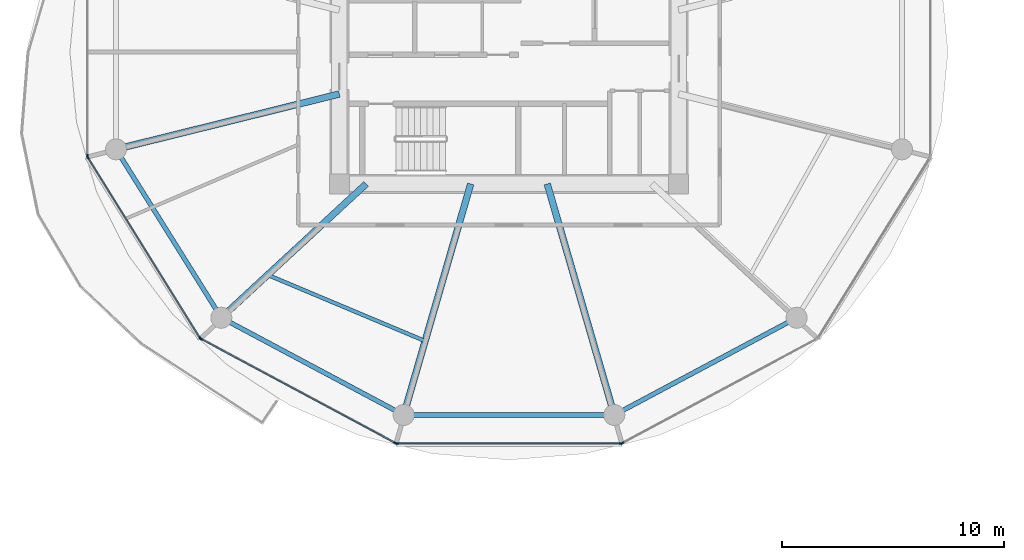
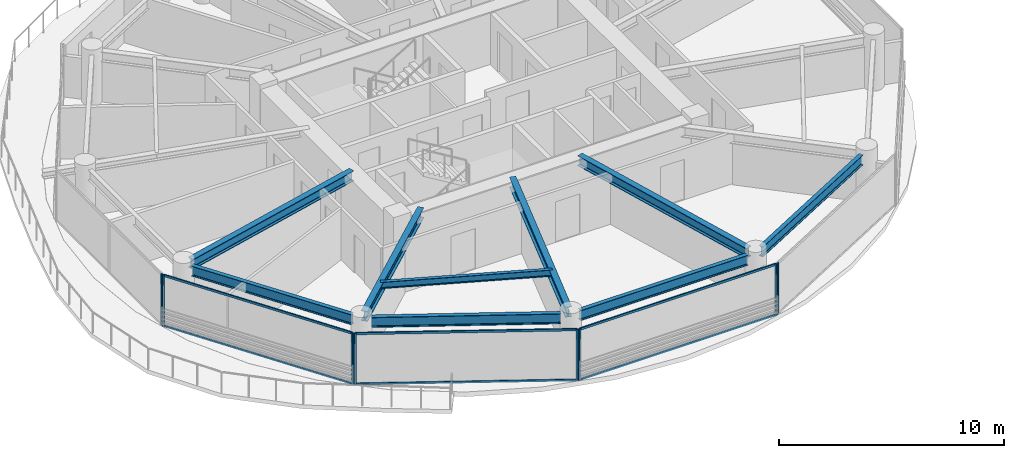
# One storey, part 2 of 27: 14 members, 9 beams, 5 elements without a shape of their own.
"""IFC4 building model written with IfcOpenShell, lengths in metres."""

from ifc_helpers import new_model, si_unit, direction, frame, origin, origin_2d, place, context, subcontext, project, spatial, rectangle, i_section, extrude, source, transform, mapped, material, layer, layer_set, material_profile, profile_set, type_object, type_shapes, element, aggregate, save


model = new_model("IFC4")

# Units and contexts
model_context = context("Model", 3, precision=1e-05, world=origin(), true_north=direction((0.0, 1.0)))
body_context = subcontext(model_context, "Body", "Model", "MODEL_VIEW")
ifc_project = project(units=[si_unit("LENGTHUNIT", "METRE"), si_unit("AREAUNIT", "SQUARE_METRE"), si_unit("VOLUMEUNIT", "CUBIC_METRE"), si_unit("PLANEANGLEUNIT", "RADIAN"), si_unit("MASSUNIT", "GRAM", prefix="KILO")], contexts=[model_context])

# Site, building, storey
site_placement = place(None, origin())
site = spatial("IfcSite", under=ifc_project, at=site_placement, CompositionType="ELEMENT")
building_placement = place(site_placement, origin())
building = spatial("IfcBuilding", under=site, at=building_placement, Name="Norrkilde Senior Care Towers", CompositionType="ELEMENT")
storey_placement = place(building_placement, frame((0.0, 0.0, 30.75)))
storey = spatial("IfcBuildingStorey", under=building, at=storey_placement, Name="L08", CompositionType="ELEMENT", Elevation=30.75)

# Beams
ifc_material_1 = material(Name="Steel S355", Category="steel")
ifc_material_profile_1 = material_profile(ifc_material_1, i_section(OverallWidth=0.2099609375, OverallDepth=0.550048828125, WebThickness=0.010986328125, FlangeThickness=0.01708984375, FilletRadius=0.02392578125, at=origin_2d()), Name="IPE 550")
ifc_profile_set_1 = profile_set([ifc_material_profile_1], Name="Steel S355")
beam_type_1 = type_object("IfcBeamType", Name="Perimeter Ring Spandrel Z1 IPE550", PredefinedType="SPANDREL", material=ifc_profile_set_1)
shared_shape_1 = source(origin(), body_context, "Body", "SweptSolid", [
    extrude(i_section(OverallWidth=0.2099609375, OverallDepth=0.550048828125, WebThickness=0.010986328125, FlangeThickness=0.01708984375, FilletRadius=0.02392578125, at=origin_2d()), origin(), (0.0, 0.0, 1.0), 8.090576171875),
])
beam_1_placement = place(storey_placement, frame((-45.494140625, -4.755859375, 2.514892578125), z_axis=(0.530004364821, -0.84799491347, 0.0), x_axis=(0.84799491347, 0.530004364821, 0.0)))
element("IfcBeam", 1, at=beam_1_placement, inside=storey, type_object=beam_type_1, Name="L08 Drum W Perimeter Spandrel 07", PredefinedType="SPANDREL", context=body_context, shape_type="MappedRepresentation", body=[
    mapped(shared_shape_1, transform((0.0, 0.0, 0.0), x_axis=(1.0, 0.0, 0.0), y_axis=(0.0, 1.0, 0.0), z_axis=(0.0, 0.0, 1.0), scale=1.0)),
])
ifc_material_profile_2 = material_profile(ifc_material_1, i_section(OverallWidth=0.300048828125, OverallDepth=0.550048828125, WebThickness=0.014892578125, FlangeThickness=0.029052734375, FilletRadius=0.027099609375, at=origin_2d()), Name="HEB 550")
ifc_profile_set_2 = profile_set([ifc_material_profile_2], Name="Steel S355")
beam_type_2 = type_object("IfcBeamType", Name="Radial Floor Beam Z1 HEB550", PredefinedType="BEAM", material=ifc_profile_set_2)
shared_shape_2 = source(origin(), body_context, "Body", "SweptSolid", [
    extrude(i_section(OverallWidth=0.300048828125, OverallDepth=0.550048828125, WebThickness=0.014892578125, FlangeThickness=0.029052734375, FilletRadius=0.027099609375, at=origin_2d()), origin(), (0.0, 0.0, 1.0), 9.94384765625),
])
beam_2_placement = place(storey_placement, frame((-35.64990234375, -1.893310546875, 2.514892578125), z_axis=(-0.970707425182, -0.240264634718, 0.0), x_axis=(0.240264634718, -0.970707425182, 0.0)))
element("IfcBeam", 2, at=beam_2_placement, inside=storey, type_object=beam_type_2, Name="L08 Drum W Radial Floor Beam 07", PredefinedType="BEAM", context=body_context, shape_type="MappedRepresentation", body=[
    mapped(shared_shape_2, transform((0.0, 0.0, 0.0), x_axis=(1.0, 0.0, 0.0), y_axis=(0.0, 1.0, 0.0), z_axis=(0.0, 0.0, 1.0), scale=1.0)),
])
shared_shape_3 = source(origin(), body_context, "Body", "SweptSolid", [
    extrude(i_section(OverallWidth=0.2099609375, OverallDepth=0.550048828125, WebThickness=0.010986328125, FlangeThickness=0.01708984375, FilletRadius=0.02392578125, at=origin_2d()), origin(), (0.0, 0.0, 1.0), 8.452880859375),
])
for number, where, z_axis, x_axis, name in (
    (3, (-40.591552734375, -12.190185546875, 2.514892578125), (0.882368931134, -0.470558252898, 0.0), (0.470558252898, 0.882368931134, 0.0), "L08 Drum W Perimeter Spandrel 08"),
    (4, (-22.866943359375, -16.167724609375, 2.514892578125), (0.882368931134, 0.470558252898, 0.0), (-0.470558252898, 0.882368931134, 0.0), "L08 Drum W Perimeter Spandrel 10"),
):
    element("IfcBeam", number, at=place(storey_placement, frame(where, z_axis=z_axis, x_axis=x_axis)), inside=storey, type_object=beam_type_1, Name=name, PredefinedType="SPANDREL", context=body_context, shape_type="MappedRepresentation", body=[
        mapped(shared_shape_3, transform((0.0, 0.0, 0.0), x_axis=(1.0, 0.0, 0.0), y_axis=(0.0, 1.0, 0.0), z_axis=(0.0, 0.0, 1.0), scale=1.0)),
    ])
shared_shape_4 = source(origin(), body_context, "Body", "SweptSolid", [
    extrude(i_section(OverallWidth=0.300048828125, OverallDepth=0.550048828125, WebThickness=0.014892578125, FlangeThickness=0.029052734375, FilletRadius=0.027099609375, at=origin_2d()), origin(), (0.0, 0.0, 1.0), 8.459716796875),
])
beam_3_placement = place(storey_placement, frame((-34.44140625, -5.949951171875, 2.514892578125), z_axis=(-0.734573269108, -0.678529374686, 0.0), x_axis=(0.678529374686, -0.734573269108, 0.0)))
element("IfcBeam", 5, at=beam_3_placement, inside=storey, type_object=beam_type_2, Name="L08 Drum W Radial Floor Beam 08", PredefinedType="BEAM", context=body_context, shape_type="MappedRepresentation", body=[
    mapped(shared_shape_4, transform((0.0, 0.0, 0.0), x_axis=(1.0, 0.0, 0.0), y_axis=(0.0, 1.0, 0.0), z_axis=(0.0, 0.0, 1.0), scale=1.0)),
])
shared_shape_5 = source(origin(), body_context, "Body", "SweptSolid", [
    extrude(i_section(OverallWidth=0.2099609375, OverallDepth=0.550048828125, WebThickness=0.010986328125, FlangeThickness=0.01708984375, FilletRadius=0.02392578125, at=origin_2d()), origin(), (0.0, 0.0, 1.0), 8.62841796875),
])
type_shapes(beam_type_1, [shared_shape_1, shared_shape_3, shared_shape_5])
beam_4_placement = place(storey_placement, frame((-32.314208984375, -16.37255859375, 2.514892578125), z_axis=(1.0, 0.0, 0.0), x_axis=(0.0, 1.0, 0.0)))
element("IfcBeam", 6, at=beam_4_placement, inside=storey, type_object=beam_type_1, Name="L08 Drum W Perimeter Spandrel 09", PredefinedType="SPANDREL", context=body_context, shape_type="MappedRepresentation", body=[
    mapped(shared_shape_5, transform((0.0, 0.0, 0.0), x_axis=(1.0, 0.0, 0.0), y_axis=(0.0, 1.0, 0.0), z_axis=(0.0, 0.0, 1.0), scale=1.0)),
])
shared_shape_6 = source(origin(), body_context, "Body", "SweptSolid", [
    extrude(i_section(OverallWidth=0.300048828125, OverallDepth=0.550048828125, WebThickness=0.014892578125, FlangeThickness=0.029052734375, FilletRadius=0.027099609375, at=origin_2d()), origin(), (0.0, 0.0, 1.0), 10.4169921875),
])
type_shapes(beam_type_2, [shared_shape_2, shared_shape_4, shared_shape_6])
for number, where, z_axis, x_axis, name in (
    (7, (-29.72607421875, -5.949951171875, 2.514892578125), (-0.278591250785, -0.960409764104, 0.0), (0.960409764104, -0.278591250785, 0.0), "L08 Drum W Radial Floor Beam 09"),
    (8, (-26.27392578125, -5.949951171875, 2.514892578125), (0.278591250785, -0.960409764104, 0.0), (0.960409764104, 0.278591250785, 0.0), "L08 Drum W Radial Floor Beam 10"),
):
    element("IfcBeam", number, at=place(storey_placement, frame(where, z_axis=z_axis, x_axis=x_axis)), inside=storey, type_object=beam_type_2, Name=name, PredefinedType="BEAM", context=body_context, shape_type="MappedRepresentation", body=[
        mapped(shared_shape_6, transform((0.0, 0.0, 0.0), x_axis=(1.0, 0.0, 0.0), y_axis=(0.0, 1.0, 0.0), z_axis=(0.0, 0.0, 1.0), scale=1.0)),
    ])
ifc_material_profile_3 = material_profile(ifc_material_1, i_section(OverallWidth=0.169921875, OverallDepth=0.360107421875, WebThickness=0.008056640625, FlangeThickness=0.0126953125, FilletRadius=0.01806640625, at=origin_2d()), Name="IPE 360")
ifc_profile_set_3 = profile_set([ifc_material_profile_3], Name="Steel S355")
beam_type_3 = type_object("IfcBeamType", Name="Secondary Floor Joist IPE360", PredefinedType="JOIST", material=ifc_profile_set_3)
shared_shape_7 = source(origin(), body_context, "Body", "SweptSolid", [
    extrude(i_section(OverallWidth=0.169921875, OverallDepth=0.360107421875, WebThickness=0.008056640625, FlangeThickness=0.0126953125, FilletRadius=0.01806640625, at=origin_2d()), origin(), (0.0, 0.0, 1.0), 7.703857421875),
])
type_shapes(beam_type_3, [shared_shape_7])
beam_5_placement = place(storey_placement, frame((-38.884521484375, -10.05419921875, 2.610107421875), z_axis=(0.921982784465, -0.387230868023, 0.0), x_axis=(0.387230868023, 0.921982784465, 0.0)))
element("IfcBeam", 9, at=beam_5_placement, inside=storey, type_object=beam_type_3, Name="L08 Drum W Secondary Floor Joist 3", PredefinedType="JOIST", context=body_context, shape_type="MappedRepresentation", body=[
    mapped(shared_shape_7, transform((0.0, 0.0, 0.0), x_axis=(1.0, 0.0, 0.0), y_axis=(0.0, 1.0, 0.0), z_axis=(0.0, 0.0, 1.0), scale=1.0)),
])

# Curtain wall, member
ifc_material_2 = material(Name="Triple Low-E Insulated Glazing", Category="glass")
ifc_layer = layer(ifc_material_2, 0.199951171875)
ifc_layer_set = layer_set([ifc_layer], Name="Triple Low-E Insulated Glazing")
curtain_wall_type = type_object("IfcCurtainWallType", Name="CW2 Zone 1 Memory Care Curtain Wall", PredefinedType="NOTDEFINED", material=ifc_layer_set)
curtain_wall_1_placement = place(storey_placement, origin())
curtain_wall_1 = element("IfcCurtainWall", 10, at=curtain_wall_1_placement, inside=storey, type_object=curtain_wall_type, Name="L08 Drum W Curtain Wall 05", PredefinedType="NOTDEFINED")
ifc_material_3 = material(Name="Anodised Aluminium", Category="aluminium")
ifc_material_profile_4 = material_profile(ifc_material_3, rectangle(XDim=0.06494140625, YDim=0.159912109375, at=origin_2d()), Name="ALU MULL 65x160")
ifc_profile_set_4 = profile_set([ifc_material_profile_4], Name="Anodised Aluminium")
member_type_1 = type_object("IfcMemberType", Name="Curtain Wall Mullion Z1-Z2 65x160", PredefinedType="MULLION", material=ifc_profile_set_4)
shared_shape_8 = source(origin(), body_context, "Body", "SweptSolid", [
    extrude(rectangle(XDim=0.06494140625, YDim=0.159912109375, at=origin_2d()), origin(), (0.0, 0.0, 1.0), 2.7900390625),
])
type_shapes(member_type_1, [shared_shape_8])
member_1_placement = place(storey_placement, frame((-47.009521484375, -4.69873046875, 0.0), z_axis=(0.0, 0.0, 1.0), x_axis=(-1.0, 0.0, 0.0)))
member_1 = element("IfcMember", 11, at=member_1_placement, type_object=member_type_1, Name="CW-2 mullion 1", PredefinedType="MULLION", context=body_context, shape_type="MappedRepresentation", body=[
    mapped(shared_shape_8, transform((0.0, 0.0, 0.0), x_axis=(1.0, 0.0, 0.0), y_axis=(0.0, 1.0, 0.0), z_axis=(0.0, 0.0, 1.0), scale=1.0)),
])
aggregate(curtain_wall_1, [member_1])

# Curtain wall, members
curtain_wall_2_placement = place(storey_placement, origin())
curtain_wall_2 = element("IfcCurtainWall", 12, at=curtain_wall_2_placement, inside=storey, type_object=curtain_wall_type, Name="L08 Drum W Curtain Wall 06", PredefinedType="NOTDEFINED")
member_2_placement = place(storey_placement, frame((-41.93310546875, -12.898193359375, 0.0), z_axis=(0.0, 0.0, 1.0), x_axis=(-0.849305943117, -0.527900951871, 0.0)))
member_2 = element("IfcMember", 13, at=member_2_placement, type_object=member_type_1, Name="CW-2 mullion 1", PredefinedType="MULLION", context=body_context, shape_type="MappedRepresentation", body=[
    mapped(shared_shape_8, transform((0.0, 0.0, 0.0), x_axis=(1.0, 0.0, 0.0), y_axis=(0.0, 1.0, 0.0), z_axis=(0.0, 0.0, 1.0), scale=1.0)),
])
member_3_placement = place(storey_placement, frame((-46.9921875, -4.7587890625, 0.0), z_axis=(0.0, 0.0, 1.0), x_axis=(-0.849305943117, -0.527900951871, 0.0)))
member_3 = element("IfcMember", 14, at=member_3_placement, type_object=member_type_1, Name="CW-2 mullion 2", PredefinedType="MULLION", context=body_context, shape_type="MappedRepresentation", body=[
    mapped(shared_shape_8, transform((0.0, 0.0, 0.0), x_axis=(1.0, 0.0, 0.0), y_axis=(0.0, 1.0, 0.0), z_axis=(0.0, 0.0, 1.0), scale=1.0)),
])

curtain_wall_3_placement = place(storey_placement, origin())
curtain_wall_3 = element("IfcCurtainWall", 15, at=curtain_wall_3_placement, inside=storey, type_object=curtain_wall_type, Name="L08 Drum W Curtain Wall 07", PredefinedType="NOTDEFINED")
member_4_placement = place(storey_placement, frame((-33.122314453125, -17.641845703125, 0.0), z_axis=(0.0, 0.0, 1.0), x_axis=(-0.472607802456, -0.881272866403, 0.0)))
member_4 = element("IfcMember", 16, at=member_4_placement, type_object=member_type_1, Name="CW-2 mullion 1", PredefinedType="MULLION", context=body_context, shape_type="MappedRepresentation", body=[
    mapped(shared_shape_8, transform((0.0, 0.0, 0.0), x_axis=(1.0, 0.0, 0.0), y_axis=(0.0, 1.0, 0.0), z_axis=(0.0, 0.0, 1.0), scale=1.0)),
])
member_5_placement = place(storey_placement, frame((-41.88720703125, -12.941162109375, 0.0), z_axis=(0.0, 0.0, 1.0), x_axis=(-0.472607802456, -0.881272866403, 0.0)))
member_5 = element("IfcMember", 17, at=member_5_placement, type_object=member_type_1, Name="CW-2 mullion 2", PredefinedType="MULLION", context=body_context, shape_type="MappedRepresentation", body=[
    mapped(shared_shape_8, transform((0.0, 0.0, 0.0), x_axis=(1.0, 0.0, 0.0), y_axis=(0.0, 1.0, 0.0), z_axis=(0.0, 0.0, 1.0), scale=1.0)),
])

curtain_wall_4_placement = place(storey_placement, origin())
curtain_wall_4 = element("IfcCurtainWall", 18, at=curtain_wall_4_placement, inside=storey, type_object=curtain_wall_type, Name="L08 Drum W Curtain Wall 08", PredefinedType="NOTDEFINED")
member_6_placement = place(storey_placement, frame((-22.93896484375, -17.6572265625, 0.0), z_axis=(0.0, 0.0, 1.0), x_axis=(0.0, -1.0, 0.0)))
member_6 = element("IfcMember", 19, at=member_6_placement, type_object=member_type_1, Name="CW-2 mullion 1", PredefinedType="MULLION", context=body_context, shape_type="MappedRepresentation", body=[
    mapped(shared_shape_8, transform((0.0, 0.0, 0.0), x_axis=(1.0, 0.0, 0.0), y_axis=(0.0, 1.0, 0.0), z_axis=(0.0, 0.0, 1.0), scale=1.0)),
])
member_7_placement = place(storey_placement, frame((-33.06103515625, -17.6572265625, 0.0), z_axis=(0.0, 0.0, 1.0), x_axis=(0.0, -1.0, 0.0)))
member_7 = element("IfcMember", 20, at=member_7_placement, type_object=member_type_1, Name="CW-2 mullion 2", PredefinedType="MULLION", context=body_context, shape_type="MappedRepresentation", body=[
    mapped(shared_shape_8, transform((0.0, 0.0, 0.0), x_axis=(1.0, 0.0, 0.0), y_axis=(0.0, 1.0, 0.0), z_axis=(0.0, 0.0, 1.0), scale=1.0)),
])

# Curtain wall, member
curtain_wall_5_placement = place(storey_placement, origin())
curtain_wall_5 = element("IfcCurtainWall", 21, at=curtain_wall_5_placement, inside=storey, type_object=curtain_wall_type, Name="L08 Drum W Curtain Wall 09", PredefinedType="NOTDEFINED")
member_8_placement = place(storey_placement, frame((-22.877685546875, -17.641845703125, 0.0), z_axis=(0.0, 0.0, 1.0), x_axis=(0.472607802456, -0.881272866403, 0.0)))
member_8 = element("IfcMember", 22, at=member_8_placement, type_object=member_type_1, Name="CW-2 mullion 2", PredefinedType="MULLION", context=body_context, shape_type="MappedRepresentation", body=[
    mapped(shared_shape_8, transform((0.0, 0.0, 0.0), x_axis=(1.0, 0.0, 0.0), y_axis=(0.0, 1.0, 0.0), z_axis=(0.0, 0.0, 1.0), scale=1.0)),
])
aggregate(curtain_wall_5, [member_8])

# Member
ifc_material_profile_5 = material_profile(ifc_material_3, rectangle(XDim=0.06005859375, YDim=0.1201171875, at=origin_2d()), Name="ALU TRAN 60x120")
ifc_profile_set_5 = profile_set([ifc_material_profile_5], Name="Anodised Aluminium")
member_type_2 = type_object("IfcMemberType", Name="Curtain Wall Transom Typical 60x120", PredefinedType="USERDEFINED", material=ifc_profile_set_5)
shared_shape_9 = source(origin(), body_context, "Body", "SweptSolid", [
    extrude(rectangle(XDim=0.06005859375, YDim=0.1201171875, at=origin_2d()), origin(), (0.0, 0.0, 1.0), 9.5185546875),
])
member_9_placement = place(storey_placement, frame((-41.9501953125, -12.87060546875, 0.030029296875), z_axis=(-0.527901620669, 0.849305527413, 0.0), x_axis=(-0.849305527413, -0.527901620669, 0.0)))
member_9 = element("IfcMember", 23, at=member_9_placement, type_object=member_type_2, Name="CW-2 transom 1.1", ObjectType="TRANSOM", PredefinedType="USERDEFINED", context=body_context, shape_type="MappedRepresentation", body=[
    mapped(shared_shape_9, transform((0.0, 0.0, 0.0), x_axis=(1.0, 0.0, 0.0), y_axis=(0.0, 1.0, 0.0), z_axis=(0.0, 0.0, 1.0), scale=1.0)),
])

member_10_placement = place(storey_placement, frame((-41.9501953125, -12.87060546875, 2.760009765625), z_axis=(-0.527901620669, 0.849305527413, 0.0), x_axis=(-0.849305527413, -0.527901620669, 0.0)))
member_10 = element("IfcMember", 24, at=member_10_placement, type_object=member_type_2, Name="CW-2 transom 1.2", ObjectType="TRANSOM", PredefinedType="USERDEFINED", context=body_context, shape_type="MappedRepresentation", body=[
    mapped(shared_shape_9, transform((0.0, 0.0, 0.0), x_axis=(1.0, 0.0, 0.0), y_axis=(0.0, 1.0, 0.0), z_axis=(0.0, 0.0, 1.0), scale=1.0)),
])

aggregate(curtain_wall_2, [member_2, member_3, member_9, member_10])

shared_shape_10 = source(origin(), body_context, "Body", "SweptSolid", [
    extrude(rectangle(XDim=0.06005859375, YDim=0.1201171875, at=origin_2d()), origin(), (0.0, 0.0, 1.0), 9.880859375),
])
member_11_placement = place(storey_placement, frame((-33.15087890625, -17.62646484375, 0.030029296875), z_axis=(-0.881267204043, 0.47261836092, 0.0), x_axis=(-0.47261836092, -0.881267204043, 0.0)))
member_11 = element("IfcMember", 25, at=member_11_placement, type_object=member_type_2, Name="CW-2 transom 1.1", ObjectType="TRANSOM", PredefinedType="USERDEFINED", context=body_context, shape_type="MappedRepresentation", body=[
    mapped(shared_shape_10, transform((0.0, 0.0, 0.0), x_axis=(1.0, 0.0, 0.0), y_axis=(0.0, 1.0, 0.0), z_axis=(0.0, 0.0, 1.0), scale=1.0)),
])

member_12_placement = place(storey_placement, frame((-33.15087890625, -17.62646484375, 2.760009765625), z_axis=(-0.881267204043, 0.47261836092, 0.0), x_axis=(-0.47261836092, -0.881267204043, 0.0)))
member_12 = element("IfcMember", 26, at=member_12_placement, type_object=member_type_2, Name="CW-2 transom 1.2", ObjectType="TRANSOM", PredefinedType="USERDEFINED", context=body_context, shape_type="MappedRepresentation", body=[
    mapped(shared_shape_10, transform((0.0, 0.0, 0.0), x_axis=(1.0, 0.0, 0.0), y_axis=(0.0, 1.0, 0.0), z_axis=(0.0, 0.0, 1.0), scale=1.0)),
])

aggregate(curtain_wall_3, [member_4, member_5, member_11, member_12])

shared_shape_11 = source(origin(), body_context, "Body", "SweptSolid", [
    extrude(rectangle(XDim=0.06005859375, YDim=0.1201171875, at=origin_2d()), origin(), (0.0, 0.0, 1.0), 10.05712890625),
])
type_shapes(member_type_2, [shared_shape_9, shared_shape_10, shared_shape_11])
member_13_placement = place(storey_placement, frame((-22.971435546875, -17.6572265625, 0.030029296875), z_axis=(-1.0, 0.0, 0.0), x_axis=(0.0, -1.0, 0.0)))
member_13 = element("IfcMember", 27, at=member_13_placement, type_object=member_type_2, Name="CW-2 transom 1.1", ObjectType="TRANSOM", PredefinedType="USERDEFINED", context=body_context, shape_type="MappedRepresentation", body=[
    mapped(shared_shape_11, transform((0.0, 0.0, 0.0), x_axis=(1.0, 0.0, 0.0), y_axis=(0.0, 1.0, 0.0), z_axis=(0.0, 0.0, 1.0), scale=1.0)),
])

member_14_placement = place(storey_placement, frame((-22.971435546875, -17.6572265625, 2.760009765625), z_axis=(-1.0, 0.0, 0.0), x_axis=(0.0, -1.0, 0.0)))
member_14 = element("IfcMember", 28, at=member_14_placement, type_object=member_type_2, Name="CW-2 transom 1.2", ObjectType="TRANSOM", PredefinedType="USERDEFINED", context=body_context, shape_type="MappedRepresentation", body=[
    mapped(shared_shape_11, transform((0.0, 0.0, 0.0), x_axis=(1.0, 0.0, 0.0), y_axis=(0.0, 1.0, 0.0), z_axis=(0.0, 0.0, 1.0), scale=1.0)),
])

aggregate(curtain_wall_4, [member_6, member_7, member_13, member_14])

save(model, "model.ifc")
